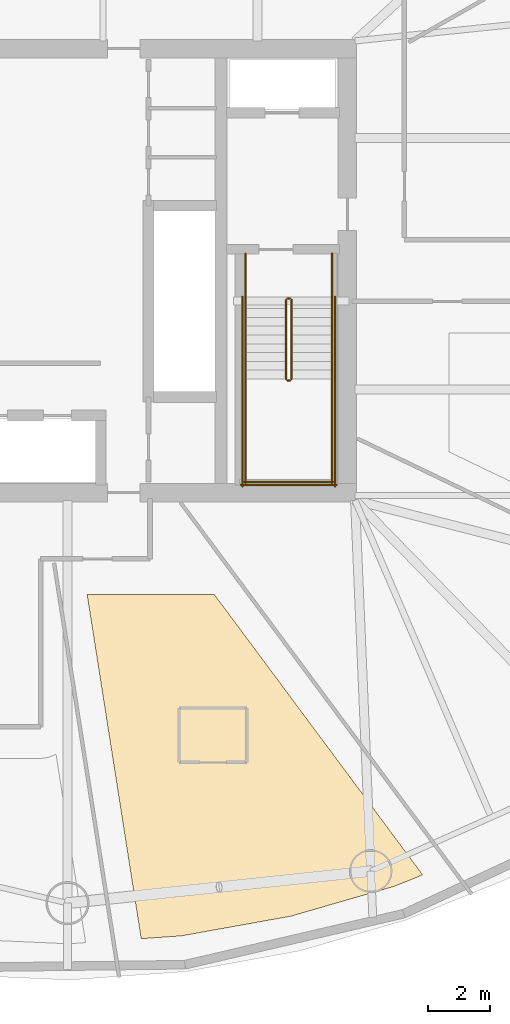
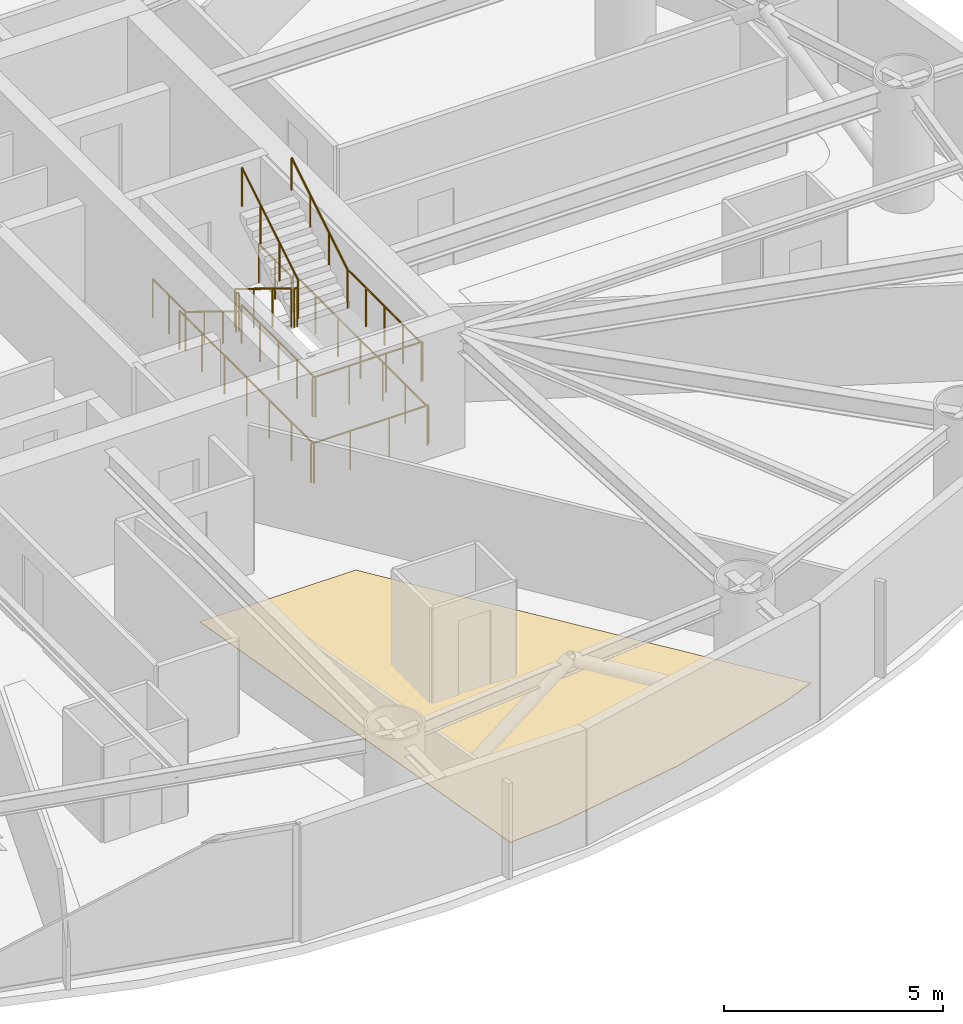
# One storey, part 21 of 22: 14 railings, 1 covering.
"""IFC4 building model written with IfcOpenShell, lengths in metres."""

from ifc_helpers import new_model, si_unit, direction, frame, origin, origin_2d, place, context, subcontext, project, spatial, polyline, circle, outline, extrude, material, layer, layer_set, type_object, element, save


model = new_model("IFC4")

# Units and contexts
model_context = context("Model", 3, precision=1e-05, world=origin(), true_north=direction((0.0, 1.0)))
body_context = subcontext(model_context, "Body", "Model", "MODEL_VIEW")
ifc_project = project(units=[si_unit("LENGTHUNIT", "METRE"), si_unit("AREAUNIT", "SQUARE_METRE"), si_unit("VOLUMEUNIT", "CUBIC_METRE"), si_unit("PLANEANGLEUNIT", "RADIAN"), si_unit("MASSUNIT", "GRAM", prefix="KILO")], contexts=[model_context])

# Site, building, storey
site_placement = place(None, origin())
site = spatial("IfcSite", under=ifc_project, at=site_placement, CompositionType="ELEMENT")
building_placement = place(site_placement, origin())
building = spatial("IfcBuilding", under=site, at=building_placement, Name="Bramvorn Convention Spire", CompositionType="ELEMENT")
storey_placement = place(building_placement, frame((0.0, 0.0, 116.800048828125)))
storey = spatial("IfcBuildingStorey", under=building, at=storey_placement, Name="L28", CompositionType="ELEMENT", Elevation=116.800048828125)

# Covering
ifc_material_1 = material(Name="Solution-Dyed Wool Broadloom Hospitality Carpet", Category="textile")
ifc_layer = layer(ifc_material_1, 0.014892578125)
ifc_layer_set = layer_set([ifc_layer], Name="Solution-Dyed Wool Broadloom Hospitality Carpet - FLR-CARPET-15")
covering_type = type_object("IfcCoveringType", Name="FLR-CARPET-15", PredefinedType="FLOORING", material=ifc_layer_set)
covering_placement = place(storey_placement, origin())
element("IfcCovering", 1, at=covering_placement, inside=storey, type_object=covering_type, Name="Hotel Suite 2811 wool broadloom carpet", PredefinedType="FLOORING", context=body_context, shape_type="SweptSolid", body=[
    extrude(outline(polyline([(50.52685546875, 6.030517578125), (51.44287109375, 6.400390625), (44.68115234375, 15.5), (40.5595703125, 15.5), (42.3134765625, 4.330078125), (43.618408203125, 4.421630859375), (47.16796875, 5.060546875), (50.52685546875, 6.030517578125)])), origin(), (0.0, 0.0, 1.0), 0.014892578125),
])

# Railings
ifc_material_2 = material(Name="Painted Steel Balustrade & Guardrail", Category="steel")
railing_type_1 = type_object("IfcRailingType", Name="RL-STAIR-GUARD-1100", PredefinedType="GUARDRAIL", material=ifc_material_2)
railing_1_placement = place(storey_placement, frame((47.010009765625, 25.050048828125, 0.175048828125)))
element("IfcRailing", 2, at=railing_1_placement, inside=storey, type_object=railing_type_1, Name="L28 ST2 stair guard 1", PredefinedType="GUARDRAIL", context=body_context, shape_type="SweptSolid", body=[
    extrude(circle(Radius=0.02392578125, at=origin_2d()), frame((0.0, 0.0, 1.076171875), z_axis=(0.0, -0.852173129349, 0.523259933127), x_axis=(1.0, 0.0, 0.0)), (0.0, 0.0, 1.0), 3.009765625),
    extrude(circle(Radius=0.02099609375, at=origin_2d()), origin(), (0.0, 0.0, 1.0), 1.052001953125),
    extrude(circle(Radius=0.02099609375, at=origin_2d()), frame((0.0, -0.85498046875, 0.52490234375)), (0.0, 0.0, 1.0), 1.052001953125),
    extrude(circle(Radius=0.02099609375, at=origin_2d()), frame((0.0, -1.7099609375, 1.050048828125)), (0.0, 0.0, 1.0), 1.052001953125),
    extrude(circle(Radius=0.02099609375, at=origin_2d()), frame((0.0, -2.56494140625, 1.574951171875)), (0.0, 0.0, 1.0), 1.052001953125),
])
railing_2_placement = place(storey_placement, frame((47.06005859375, 22.43505859375, 1.75)))
element("IfcRailing", 3, at=railing_2_placement, inside=storey, type_object=railing_type_1, Name="L28 ST2 stair guard 2", PredefinedType="GUARDRAIL", context=body_context, shape_type="SweptSolid", body=[
    extrude(circle(Radius=0.02392578125, at=origin_2d()), frame((0.0, 0.0, 1.076171875), z_axis=(1.0, 0.0, 0.0), x_axis=(0.0, 1.0, 0.0)), (0.0, 0.0, 1.0), 0.079833984375),
    extrude(circle(Radius=0.02099609375, at=origin_2d()), origin(), (0.0, 0.0, 1.0), 1.052001953125),
    extrude(circle(Radius=0.02099609375, at=origin_2d()), frame((0.079833984375, 0.0, 0.0)), (0.0, 0.0, 1.0), 1.052001953125),
])
for number, where, name in (
    (4, (45.699951171875, 22.485107421875, 1.75), "L28 ST2 stair guard 3"),
    (5, (48.5, 22.485107421875, 1.75), "L28 ST2 stair guard 4"),
):
    element("IfcRailing", number, at=place(storey_placement, frame(where)), inside=storey, type_object=railing_type_1, Name=name, PredefinedType="GUARDRAIL", context=body_context, shape_type="SweptSolid", body=[
        extrude(circle(Radius=0.02392578125, at=origin_2d()), frame((0.0, 0.0, 1.076171875), z_axis=(0.0, -1.0, 0.0), x_axis=(1.0, 0.0, 0.0)), (0.0, 0.0, 1.0), 3.385009765625),
        extrude(circle(Radius=0.02099609375, at=origin_2d()), origin(), (0.0, 0.0, 1.0), 1.052001953125),
        extrude(circle(Radius=0.02099609375, at=origin_2d()), frame((0.0, -0.84619140625, 0.0)), (0.0, 0.0, 1.0), 1.052001953125),
        extrude(circle(Radius=0.02099609375, at=origin_2d()), frame((0.0, -1.6923828125, 0.0)), (0.0, 0.0, 1.0), 1.052001953125),
        extrude(circle(Radius=0.02099609375, at=origin_2d()), frame((0.0, -2.538818359375, 0.0)), (0.0, 0.0, 1.0), 1.052001953125),
        extrude(circle(Radius=0.02099609375, at=origin_2d()), frame((0.0, -3.385009765625, 0.0)), (0.0, 0.0, 1.0), 1.052001953125),
    ])
railing_3_placement = place(storey_placement, frame((45.64990234375, 19.14990234375, 1.75)))
element("IfcRailing", 6, at=railing_3_placement, inside=storey, type_object=railing_type_1, Name="L28 ST2 stair guard 5", PredefinedType="GUARDRAIL", context=body_context, shape_type="SweptSolid", body=[
    extrude(circle(Radius=0.02392578125, at=origin_2d()), frame((0.0, 0.0, 1.076171875), z_axis=(1.0, 0.0, 0.0), x_axis=(0.0, 1.0, 0.0)), (0.0, 0.0, 1.0), 2.900146484375),
    extrude(circle(Radius=0.02099609375, at=origin_2d()), origin(), (0.0, 0.0, 1.0), 1.052001953125),
    extrude(circle(Radius=0.02099609375, at=origin_2d()), frame((0.966796875, 0.0, 0.0)), (0.0, 0.0, 1.0), 1.052001953125),
    extrude(circle(Radius=0.02099609375, at=origin_2d()), frame((1.933349609375, 0.0, 0.0)), (0.0, 0.0, 1.0), 1.052001953125),
    extrude(circle(Radius=0.02099609375, at=origin_2d()), frame((2.900146484375, 0.0, 0.0)), (0.0, 0.0, 1.0), 1.052001953125),
])
railing_4_placement = place(storey_placement, frame((47.18994140625, 22.485107421875, 1.925048828125)))
element("IfcRailing", 7, at=railing_4_placement, inside=storey, type_object=railing_type_1, Name="L28 ST2 stair guard 6", PredefinedType="GUARDRAIL", context=body_context, shape_type="SweptSolid", body=[
    extrude(circle(Radius=0.02392578125, at=origin_2d()), frame((0.0, 0.0, 1.076171875), z_axis=(0.0, 0.852173129349, 0.523259933127), x_axis=(-1.0, 0.0, 0.0)), (0.0, 0.0, 1.0), 3.009765625),
    extrude(circle(Radius=0.02099609375, at=origin_2d()), origin(), (0.0, 0.0, 1.0), 1.052001953125),
    extrude(circle(Radius=0.02099609375, at=origin_2d()), frame((0.0, 0.85498046875, 0.52490234375)), (0.0, 0.0, 1.0), 1.052001953125),
    extrude(circle(Radius=0.02099609375, at=origin_2d()), frame((0.0, 1.7099609375, 1.050048828125)), (0.0, 0.0, 1.0), 1.052001953125),
    extrude(circle(Radius=0.02099609375, at=origin_2d()), frame((0.0, 2.56494140625, 1.574951171875)), (0.0, 0.0, 1.0), 1.052001953125),
])
railing_5_placement = place(storey_placement, frame((47.06005859375, 25.10009765625, 0.0)))
element("IfcRailing", 8, at=railing_5_placement, inside=storey, type_object=railing_type_1, Name="L28 ST2 stair guard 7", PredefinedType="GUARDRAIL", context=body_context, shape_type="SweptSolid", body=[
    extrude(circle(Radius=0.02392578125, at=origin_2d()), frame((0.0, 0.0, 1.076171875), z_axis=(1.0, 0.0, 0.0), x_axis=(0.0, 1.0, 0.0)), (0.0, 0.0, 1.0), 0.079833984375),
    extrude(circle(Radius=0.02099609375, at=origin_2d()), origin(), (0.0, 0.0, 1.0), 1.052001953125),
    extrude(circle(Radius=0.02099609375, at=origin_2d()), frame((0.079833984375, 0.0, 0.0)), (0.0, 0.0, 1.0), 1.052001953125),
])
for number, where, name in (
    (9, (45.699951171875, 26.550048828125, 0.0), "L28 ST2 stair guard 8"),
    (10, (48.5, 26.550048828125, 0.0), "L28 ST2 stair guard 9"),
):
    element("IfcRailing", number, at=place(storey_placement, frame(where)), inside=storey, type_object=railing_type_1, Name=name, PredefinedType="GUARDRAIL", context=body_context, shape_type="SweptSolid", body=[
        extrude(circle(Radius=0.02392578125, at=origin_2d()), frame((0.0, 0.0, 1.076171875), z_axis=(0.0, -1.0, 0.0), x_axis=(1.0, 0.0, 0.0)), (0.0, 0.0, 1.0), 1.5),
        extrude(circle(Radius=0.02099609375, at=origin_2d()), origin(), (0.0, 0.0, 1.0), 1.052001953125),
        extrude(circle(Radius=0.02099609375, at=origin_2d()), frame((0.0, -0.75, 0.0)), (0.0, 0.0, 1.0), 1.052001953125),
        extrude(circle(Radius=0.02099609375, at=origin_2d()), frame((0.0, -1.5, 0.0)), (0.0, 0.0, 1.0), 1.052001953125),
    ])
for number, where, name in (
    (11, (45.60009765625, 25.14990234375, 0.0), "L28 ST2 stair guard 10"),
    (12, (48.60009765625, 25.14990234375, 0.0), "L28 ST2 stair guard 11"),
):
    element("IfcRailing", number, at=place(storey_placement, frame(where)), inside=storey, type_object=railing_type_1, Name=name, PredefinedType="GUARDRAIL", context=body_context, shape_type="SweptSolid", body=[
        extrude(circle(Radius=0.02392578125, at=origin_2d()), frame((0.0, 0.0, 1.076171875), z_axis=(0.0, -1.0, 0.0), x_axis=(1.0, 0.0, 0.0)), (0.0, 0.0, 1.0), 6.14990234375),
        extrude(circle(Radius=0.02099609375, at=origin_2d()), origin(), (0.0, 0.0, 1.0), 1.052001953125),
        extrude(circle(Radius=0.02099609375, at=origin_2d()), frame((0.0, -1.02490234375, 0.0)), (0.0, 0.0, 1.0), 1.052001953125),
        extrude(circle(Radius=0.02099609375, at=origin_2d()), frame((0.0, -2.050048828125, 0.0)), (0.0, 0.0, 1.0), 1.052001953125),
        extrude(circle(Radius=0.02099609375, at=origin_2d()), frame((0.0, -3.074951171875, 0.0)), (0.0, 0.0, 1.0), 1.052001953125),
        extrude(circle(Radius=0.02099609375, at=origin_2d()), frame((0.0, -4.099853515625, 0.0)), (0.0, 0.0, 1.0), 1.052001953125),
        extrude(circle(Radius=0.02099609375, at=origin_2d()), frame((0.0, -5.125, 0.0)), (0.0, 0.0, 1.0), 1.052001953125),
        extrude(circle(Radius=0.02099609375, at=origin_2d()), frame((0.0, -6.14990234375, 0.0)), (0.0, 0.0, 1.0), 1.052001953125),
    ])
railing_6_placement = place(storey_placement, frame((45.550048828125, 19.050048828125, 0.0)))
element("IfcRailing", 13, at=railing_6_placement, inside=storey, type_object=railing_type_1, Name="L28 ST2 stair guard 12", PredefinedType="GUARDRAIL", context=body_context, shape_type="SweptSolid", body=[
    extrude(circle(Radius=0.02392578125, at=origin_2d()), frame((0.0, 0.0, 1.076171875), z_axis=(1.0, 0.0, 0.0), x_axis=(0.0, 1.0, 0.0)), (0.0, 0.0, 1.0), 3.099853515625),
    extrude(circle(Radius=0.02099609375, at=origin_2d()), origin(), (0.0, 0.0, 1.0), 1.052001953125),
    extrude(circle(Radius=0.02099609375, at=origin_2d()), frame((1.033203125, 0.0, 0.0)), (0.0, 0.0, 1.0), 1.052001953125),
    extrude(circle(Radius=0.02099609375, at=origin_2d()), frame((2.066650390625, 0.0, 0.0)), (0.0, 0.0, 1.0), 1.052001953125),
    extrude(circle(Radius=0.02099609375, at=origin_2d()), frame((3.099853515625, 0.0, 0.0)), (0.0, 0.0, 1.0), 1.052001953125),
])
ifc_material_3 = material(Name="Brushed Bronze Tubular Handrail", Category="aluminium")
railing_type_2 = type_object("IfcRailingType", Name="RL-STAIR-HR-920", PredefinedType="HANDRAIL", material=ifc_material_3)
railing_7_placement = place(storey_placement, frame((45.699951171875, 25.050048828125, 0.175048828125)))
element("IfcRailing", 14, at=railing_7_placement, inside=storey, type_object=railing_type_2, Name="L28 ST2 stair handrail 1", PredefinedType="HANDRAIL", context=body_context, shape_type="SweptSolid", body=[
    extrude(circle(Radius=0.02392578125, at=origin_2d()), frame((0.0, 0.0, 0.89599609375), z_axis=(0.0, -0.852173129349, 0.523259933127), x_axis=(1.0, 0.0, 0.0)), (0.0, 0.0, 1.0), 3.009765625),
    extrude(circle(Radius=0.02099609375, at=origin_2d()), origin(), (0.0, 0.0, 1.0), 0.871826171875),
    extrude(circle(Radius=0.02099609375, at=origin_2d()), frame((0.0, -0.85498046875, 0.52490234375)), (0.0, 0.0, 1.0), 0.871826171875),
    extrude(circle(Radius=0.02099609375, at=origin_2d()), frame((0.0, -1.7099609375, 1.050048828125)), (0.0, 0.0, 1.0), 0.871826171875),
    extrude(circle(Radius=0.02099609375, at=origin_2d()), frame((0.0, -2.56494140625, 1.574951171875)), (0.0, 0.0, 1.0), 0.871826171875),
])
railing_8_placement = place(storey_placement, frame((48.5, 22.485107421875, 1.925048828125)))
element("IfcRailing", 15, at=railing_8_placement, inside=storey, type_object=railing_type_2, Name="L28 ST2 stair handrail 2", PredefinedType="HANDRAIL", context=body_context, shape_type="SweptSolid", body=[
    extrude(circle(Radius=0.02392578125, at=origin_2d()), frame((0.0, 0.0, 0.89599609375), z_axis=(0.0, 0.852173129349, 0.523259933127), x_axis=(-1.0, 0.0, 0.0)), (0.0, 0.0, 1.0), 3.009765625),
    extrude(circle(Radius=0.02099609375, at=origin_2d()), origin(), (0.0, 0.0, 1.0), 0.871826171875),
    extrude(circle(Radius=0.02099609375, at=origin_2d()), frame((0.0, 0.85498046875, 0.52490234375)), (0.0, 0.0, 1.0), 0.871826171875),
    extrude(circle(Radius=0.02099609375, at=origin_2d()), frame((0.0, 1.7099609375, 1.050048828125)), (0.0, 0.0, 1.0), 0.871826171875),
    extrude(circle(Radius=0.02099609375, at=origin_2d()), frame((0.0, 2.56494140625, 1.574951171875)), (0.0, 0.0, 1.0), 0.871826171875),
])

save(model, "model.ifc")
